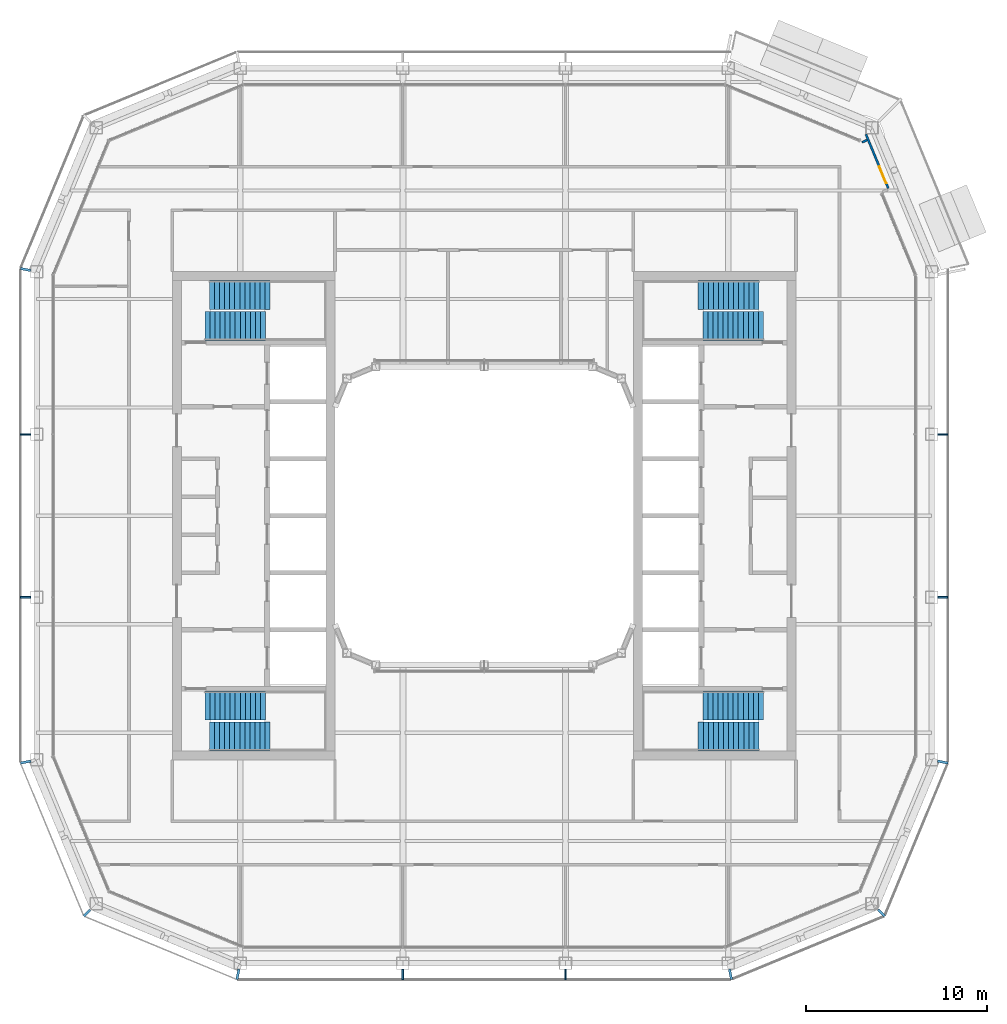
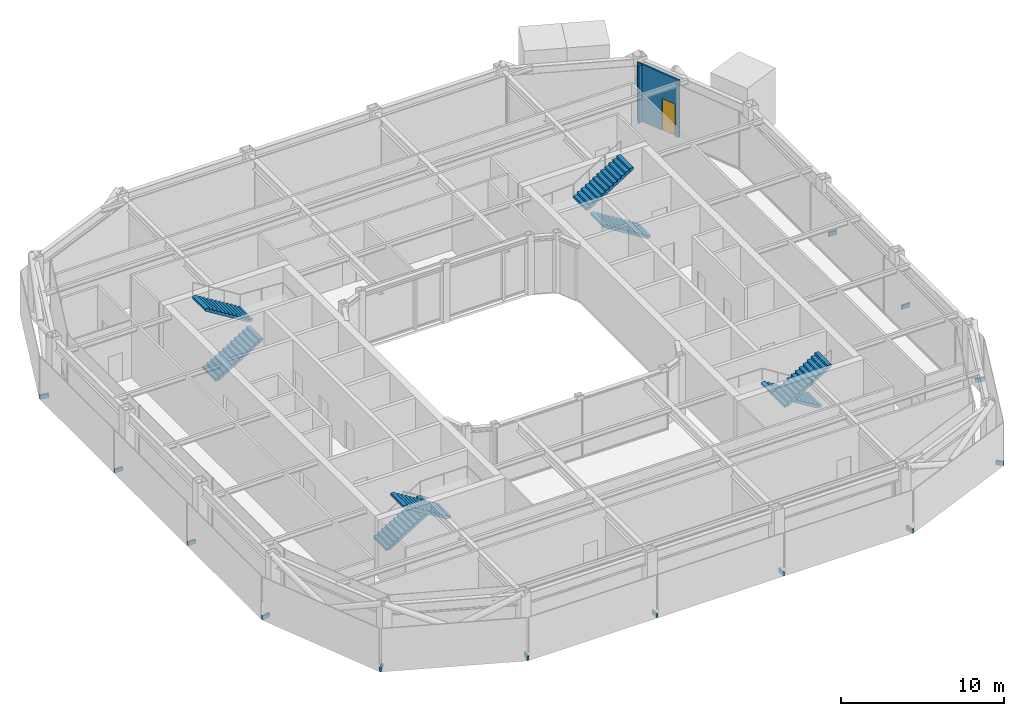
# One storey, part 14 of 21: 13 discrete accessories, 8 stair flights, 2 walls, 1 door, 1 opening, 4 elements without a shape of their own.
"""IFC4 building model written with IfcOpenShell, lengths in metres."""

from ifc_helpers import new_model, si_unit, direction, frame, frame_2d, origin, origin_2d, place, context, subcontext, project, spatial, polyline, rectangle, outline, extrude, material, layer, layer_set, type_object, element, fill, aggregate, save


model = new_model("IFC4")

# Units and contexts
model_context = context("Model", 3, precision=1e-05, world=origin(), true_north=direction((0.0, 1.0)))
body_context = subcontext(model_context, "Body", "Model", "MODEL_VIEW")
ifc_project = project(units=[si_unit("LENGTHUNIT", "METRE"), si_unit("AREAUNIT", "SQUARE_METRE"), si_unit("VOLUMEUNIT", "CUBIC_METRE"), si_unit("PLANEANGLEUNIT", "RADIAN"), si_unit("MASSUNIT", "GRAM", prefix="KILO")], contexts=[model_context])

# Site, building, storey
site_placement = place(None, origin())
site = spatial("IfcSite", under=ifc_project, at=site_placement, CompositionType="ELEMENT")
building_placement = place(site_placement, origin())
building = spatial("IfcBuilding", under=site, at=building_placement, Name="Siwar Civic Tower", CompositionType="ELEMENT")
storey_placement = place(building_placement, frame((0.0, 0.0, 343.699951171875)))
storey = spatial("IfcBuildingStorey", under=building, at=storey_placement, Name="L74", CompositionType="ELEMENT", Elevation=343.699951171875)

# Wall
ifc_material_1 = material(Name="Aluminium clad insulated panel", Category="aluminium")
ifc_layer = layer(ifc_material_1, 0.1201171875)
ifc_layer_set = layer_set([ifc_layer], Name="Aluminium clad insulated panel")
wall_type = type_object("IfcWallType", Name="ENV-WALL-BAL", PredefinedType="STANDARD", material=ifc_layer_set)
wall_1_placement = place(storey_placement, frame((20.896484375, 20.66015625, 0.0), z_axis=(0.0, 0.0, 1.0), x_axis=(0.923959293734, 0.382490814953, 0.0)))
element("IfcWall", 1, at=wall_1_placement, inside=storey, type_object=wall_type, Name="Balcony door wall return NE1", PredefinedType="STANDARD", context=body_context, shape_type="SweptSolid", body=[
    extrude(rectangle(XDim=0.310302734375, YDim=0.1201171875, at=frame_2d((0.1552734375, 0.0))), origin(), (0.0, 0.0, 1.0), 4.300048828125),
])

# Wall, opening, door
wall_2_placement = place(storey_placement, frame((22.3515625, 18.114501953125, 0.0), z_axis=(0.0, 0.0, 1.0), x_axis=(-0.382702621907, 0.923871583709, 0.0)))
wall_2 = element("IfcWall", 2, at=wall_2_placement, inside=storey, type_object=wall_type, Name="Balcony door wall NE1", PredefinedType="STANDARD", context=body_context, shape_type="SweptSolid", body=[
    extrude(rectangle(XDim=3.23681640625, YDim=0.1201171875, at=frame_2d((1.618408203125, 0.0))), origin(), (0.0, 0.0, 1.0), 4.300048828125),
])
opening_placement = place(wall_2_placement, frame((0.300048828125, 0.0, 0.0)))
opening = element("IfcOpeningElement", 3, at=opening_placement, cuts=wall_2, Name="Opening D-BAL", PredefinedType="OPENING", context=body_context, shape_type="SweptSolid", body=[
    extrude(rectangle(XDim=1.0, YDim=2.39990234375, at=frame_2d((0.5, 1.199951171875))), frame((0.0, 0.070068359375, 0.0), z_axis=(0.0, -1.0, 0.0), x_axis=(1.0, 0.0, 0.0)), (0.0, 0.0, 1.0), 0.14013671875),
])
ifc_material_2 = material(Name="Aluminium and glass", Category="aluminium")
door_type = type_object("IfcDoorType", Name="ENV-DOOR-BAL", OperationType="SINGLE_SWING_LEFT", PredefinedType="DOOR", material=ifc_material_2)
door_placement = place(opening_placement, origin())
door = element("IfcDoor", 4, at=door_placement, inside=storey, type_object=door_type, Name="Balcony door NE", OperationType="SINGLE_SWING_LEFT", OverallHeight=2.39990234375, OverallWidth=1.0, PredefinedType="DOOR", context=body_context, shape_type="SweptSolid", body=[
    extrude(rectangle(XDim=1.0, YDim=2.39990234375, at=frame_2d((0.5, 1.199951171875))), frame((0.0, 0.02490234375, 0.0), z_axis=(0.0, -1.0, 0.0), x_axis=(1.0, 0.0, 0.0)), (0.0, 0.0, 1.0), 0.050048828125),
])
fill(opening, door)

# Stair, stair flights
ifc_material_3 = material(Name="Concrete C40/50", Category="concrete")
stair_type = type_object("IfcStairType", Name="CORE-STAIR", PredefinedType="TWO_STRAIGHT_RUN_STAIR", material=ifc_material_3)
stair_1_placement = place(storey_placement, origin())
stair_1 = element("IfcStair", 5, at=stair_1_placement, inside=storey, type_object=stair_type, Name="Exit stair ST1", PredefinedType="TWO_STRAIGHT_RUN_STAIR")
ifc_material_4 = material(Name="Concrete C40/50", Category="concrete")
stair_flight_type = type_object("IfcStairFlightType", Name="CORE-STAIR-FLIGHT", PredefinedType="STRAIGHT", material=ifc_material_4)
stair_flight_1_placement = place(storey_placement, frame((-15.449951171875, 10.5, 0.0), z_axis=(0.0, 0.0, 1.0), x_axis=(1.0, 0.0, 0.0)))
stair_flight_1 = element("IfcStairFlight", 6, at=stair_flight_1_placement, type_object=stair_flight_type, Name="ST1 flight 1", NumberOfRisers=13, NumberOfTreads=12, PredefinedType="STRAIGHT", RiserHeight=0.173076923, TreadLength=0.28, context=body_context, shape_type="SweptSolid", body=[
    extrude(outline(polyline([(0.0, 0.0), (0.0, 0.173095703125), (0.280029296875, 0.173095703125), (0.280029296875, 0.34619140625), (0.56005859375, 0.34619140625), (0.56005859375, 0.519287109375), (0.840087890625, 0.519287109375), (0.840087890625, 0.6923828125), (1.1201171875, 0.6923828125), (1.1201171875, 0.865478515625), (1.39990234375, 0.865478515625), (1.39990234375, 1.03857421875), (1.679931640625, 1.03857421875), (1.679931640625, 1.21142578125), (1.9599609375, 1.21142578125), (1.9599609375, 1.384521484375), (2.239990234375, 1.384521484375), (2.239990234375, 1.5576171875), (2.52001953125, 1.5576171875), (2.52001953125, 1.730712890625), (2.800048828125, 1.730712890625), (2.800048828125, 1.90380859375), (3.080078125, 1.90380859375), (3.080078125, 2.076904296875), (3.360107421875, 2.076904296875), (3.360107421875, 2.25), (3.360107421875, 1.900634765625), (0.28515625, 0.0), (0.0, 0.0)])), frame((0.0, 0.800048828125, 0.0), z_axis=(0.0, -1.0, 0.0), x_axis=(1.0, 0.0, 0.0)), (0.0, 0.0, 1.0), 1.60009765625),
])
stair_flight_2_placement = place(storey_placement, frame((-11.840087890625, 12.199951171875, 2.25), z_axis=(0.0, 0.0, 1.0), x_axis=(-1.0, 0.0, 0.0)))
stair_flight_2 = element("IfcStairFlight", 7, at=stair_flight_2_placement, type_object=stair_flight_type, Name="ST1 flight 2", NumberOfRisers=13, NumberOfTreads=12, PredefinedType="STRAIGHT", RiserHeight=0.173076923, TreadLength=0.28, context=body_context, shape_type="SweptSolid", body=[
    extrude(outline(polyline([(0.0, 0.0), (0.0, 0.173095703125), (0.280029296875, 0.173095703125), (0.280029296875, 0.34619140625), (0.56005859375, 0.34619140625), (0.56005859375, 0.519287109375), (0.840087890625, 0.519287109375), (0.840087890625, 0.6923828125), (1.1201171875, 0.6923828125), (1.1201171875, 0.865478515625), (1.39990234375, 0.865478515625), (1.39990234375, 1.03857421875), (1.679931640625, 1.03857421875), (1.679931640625, 1.21142578125), (1.9599609375, 1.21142578125), (1.9599609375, 1.384521484375), (2.239990234375, 1.384521484375), (2.239990234375, 1.5576171875), (2.52001953125, 1.5576171875), (2.52001953125, 1.730712890625), (2.800048828125, 1.730712890625), (2.800048828125, 1.90380859375), (3.080078125, 1.90380859375), (3.080078125, 2.076904296875), (3.360107421875, 2.076904296875), (3.360107421875, 2.25), (3.360107421875, 1.900634765625), (0.28515625, 0.0), (0.0, 0.0)])), frame((0.0, 0.800048828125, 0.0), z_axis=(0.0, -1.0, 0.0), x_axis=(1.0, 0.0, 0.0)), (0.0, 0.0, 1.0), 1.60009765625),
])
aggregate(stair_1, [stair_flight_1, stair_flight_2])

stair_2_placement = place(storey_placement, origin())
stair_2 = element("IfcStair", 8, at=stair_2_placement, inside=storey, type_object=stair_type, Name="Exit stair ST2", PredefinedType="TWO_STRAIGHT_RUN_STAIR")
stair_flight_3_placement = place(storey_placement, frame((-15.449951171875, -10.5, 0.0), z_axis=(0.0, 0.0, 1.0), x_axis=(1.0, 0.0, 0.0)))
stair_flight_3 = element("IfcStairFlight", 9, at=stair_flight_3_placement, type_object=stair_flight_type, Name="ST2 flight 1", NumberOfRisers=13, NumberOfTreads=12, PredefinedType="STRAIGHT", RiserHeight=0.173076923, TreadLength=0.28, context=body_context, shape_type="SweptSolid", body=[
    extrude(outline(polyline([(0.0, 0.0), (0.0, 0.173095703125), (0.280029296875, 0.173095703125), (0.280029296875, 0.34619140625), (0.56005859375, 0.34619140625), (0.56005859375, 0.519287109375), (0.840087890625, 0.519287109375), (0.840087890625, 0.6923828125), (1.1201171875, 0.6923828125), (1.1201171875, 0.865478515625), (1.39990234375, 0.865478515625), (1.39990234375, 1.03857421875), (1.679931640625, 1.03857421875), (1.679931640625, 1.21142578125), (1.9599609375, 1.21142578125), (1.9599609375, 1.384521484375), (2.239990234375, 1.384521484375), (2.239990234375, 1.5576171875), (2.52001953125, 1.5576171875), (2.52001953125, 1.730712890625), (2.800048828125, 1.730712890625), (2.800048828125, 1.90380859375), (3.080078125, 1.90380859375), (3.080078125, 2.076904296875), (3.360107421875, 2.076904296875), (3.360107421875, 2.25), (3.360107421875, 1.900634765625), (0.28515625, 0.0), (0.0, 0.0)])), frame((0.0, 0.800048828125, 0.0), z_axis=(0.0, -1.0, 0.0), x_axis=(1.0, 0.0, 0.0)), (0.0, 0.0, 1.0), 1.60009765625),
])
stair_flight_4_placement = place(storey_placement, frame((-11.840087890625, -12.199951171875, 2.25), z_axis=(0.0, 0.0, 1.0), x_axis=(-1.0, 0.0, 0.0)))
stair_flight_4 = element("IfcStairFlight", 10, at=stair_flight_4_placement, type_object=stair_flight_type, Name="ST2 flight 2", NumberOfRisers=13, NumberOfTreads=12, PredefinedType="STRAIGHT", RiserHeight=0.173076923, TreadLength=0.28, context=body_context, shape_type="SweptSolid", body=[
    extrude(outline(polyline([(0.0, 0.0), (0.0, 0.173095703125), (0.280029296875, 0.173095703125), (0.280029296875, 0.34619140625), (0.56005859375, 0.34619140625), (0.56005859375, 0.519287109375), (0.840087890625, 0.519287109375), (0.840087890625, 0.6923828125), (1.1201171875, 0.6923828125), (1.1201171875, 0.865478515625), (1.39990234375, 0.865478515625), (1.39990234375, 1.03857421875), (1.679931640625, 1.03857421875), (1.679931640625, 1.21142578125), (1.9599609375, 1.21142578125), (1.9599609375, 1.384521484375), (2.239990234375, 1.384521484375), (2.239990234375, 1.5576171875), (2.52001953125, 1.5576171875), (2.52001953125, 1.730712890625), (2.800048828125, 1.730712890625), (2.800048828125, 1.90380859375), (3.080078125, 1.90380859375), (3.080078125, 2.076904296875), (3.360107421875, 2.076904296875), (3.360107421875, 2.25), (3.360107421875, 1.900634765625), (0.28515625, 0.0), (0.0, 0.0)])), frame((0.0, 0.800048828125, 0.0), z_axis=(0.0, -1.0, 0.0), x_axis=(1.0, 0.0, 0.0)), (0.0, 0.0, 1.0), 1.60009765625),
])
aggregate(stair_2, [stair_flight_3, stair_flight_4])

stair_3_placement = place(storey_placement, origin())
stair_3 = element("IfcStair", 11, at=stair_3_placement, inside=storey, type_object=stair_type, Name="Exit stair ST3", PredefinedType="TWO_STRAIGHT_RUN_STAIR")
stair_flight_5_placement = place(storey_placement, frame((15.449951171875, 10.5, 0.0), z_axis=(0.0, 0.0, 1.0), x_axis=(-1.0, 0.0, 0.0)))
stair_flight_5 = element("IfcStairFlight", 12, at=stair_flight_5_placement, type_object=stair_flight_type, Name="ST3 flight 1", NumberOfRisers=13, NumberOfTreads=12, PredefinedType="STRAIGHT", RiserHeight=0.173076923, TreadLength=0.28, context=body_context, shape_type="SweptSolid", body=[
    extrude(outline(polyline([(0.0, 0.0), (0.0, 0.173095703125), (0.280029296875, 0.173095703125), (0.280029296875, 0.34619140625), (0.56005859375, 0.34619140625), (0.56005859375, 0.519287109375), (0.840087890625, 0.519287109375), (0.840087890625, 0.6923828125), (1.1201171875, 0.6923828125), (1.1201171875, 0.865478515625), (1.39990234375, 0.865478515625), (1.39990234375, 1.03857421875), (1.679931640625, 1.03857421875), (1.679931640625, 1.21142578125), (1.9599609375, 1.21142578125), (1.9599609375, 1.384521484375), (2.239990234375, 1.384521484375), (2.239990234375, 1.5576171875), (2.52001953125, 1.5576171875), (2.52001953125, 1.730712890625), (2.800048828125, 1.730712890625), (2.800048828125, 1.90380859375), (3.080078125, 1.90380859375), (3.080078125, 2.076904296875), (3.360107421875, 2.076904296875), (3.360107421875, 2.25), (3.360107421875, 1.900634765625), (0.28515625, 0.0), (0.0, 0.0)])), frame((0.0, 0.800048828125, 0.0), z_axis=(0.0, -1.0, 0.0), x_axis=(1.0, 0.0, 0.0)), (0.0, 0.0, 1.0), 1.60009765625),
])
stair_flight_6_placement = place(storey_placement, frame((11.840087890625, 12.199951171875, 2.25), z_axis=(0.0, 0.0, 1.0), x_axis=(1.0, 0.0, 0.0)))
stair_flight_6 = element("IfcStairFlight", 13, at=stair_flight_6_placement, type_object=stair_flight_type, Name="ST3 flight 2", NumberOfRisers=13, NumberOfTreads=12, PredefinedType="STRAIGHT", RiserHeight=0.173076923, TreadLength=0.28, context=body_context, shape_type="SweptSolid", body=[
    extrude(outline(polyline([(0.0, 0.0), (0.0, 0.173095703125), (0.280029296875, 0.173095703125), (0.280029296875, 0.34619140625), (0.56005859375, 0.34619140625), (0.56005859375, 0.519287109375), (0.840087890625, 0.519287109375), (0.840087890625, 0.6923828125), (1.1201171875, 0.6923828125), (1.1201171875, 0.865478515625), (1.39990234375, 0.865478515625), (1.39990234375, 1.03857421875), (1.679931640625, 1.03857421875), (1.679931640625, 1.21142578125), (1.9599609375, 1.21142578125), (1.9599609375, 1.384521484375), (2.239990234375, 1.384521484375), (2.239990234375, 1.5576171875), (2.52001953125, 1.5576171875), (2.52001953125, 1.730712890625), (2.800048828125, 1.730712890625), (2.800048828125, 1.90380859375), (3.080078125, 1.90380859375), (3.080078125, 2.076904296875), (3.360107421875, 2.076904296875), (3.360107421875, 2.25), (3.360107421875, 1.900634765625), (0.28515625, 0.0), (0.0, 0.0)])), frame((0.0, 0.800048828125, 0.0), z_axis=(0.0, -1.0, 0.0), x_axis=(1.0, 0.0, 0.0)), (0.0, 0.0, 1.0), 1.60009765625),
])
aggregate(stair_3, [stair_flight_5, stair_flight_6])

stair_4_placement = place(storey_placement, origin())
stair_4 = element("IfcStair", 14, at=stair_4_placement, inside=storey, type_object=stair_type, Name="Exit stair ST4", PredefinedType="TWO_STRAIGHT_RUN_STAIR")
stair_flight_7_placement = place(storey_placement, frame((15.449951171875, -10.5, 0.0), z_axis=(0.0, 0.0, 1.0), x_axis=(-1.0, 0.0, 0.0)))
stair_flight_7 = element("IfcStairFlight", 15, at=stair_flight_7_placement, type_object=stair_flight_type, Name="ST4 flight 1", NumberOfRisers=13, NumberOfTreads=12, PredefinedType="STRAIGHT", RiserHeight=0.173076923, TreadLength=0.28, context=body_context, shape_type="SweptSolid", body=[
    extrude(outline(polyline([(0.0, 0.0), (0.0, 0.173095703125), (0.280029296875, 0.173095703125), (0.280029296875, 0.34619140625), (0.56005859375, 0.34619140625), (0.56005859375, 0.519287109375), (0.840087890625, 0.519287109375), (0.840087890625, 0.6923828125), (1.1201171875, 0.6923828125), (1.1201171875, 0.865478515625), (1.39990234375, 0.865478515625), (1.39990234375, 1.03857421875), (1.679931640625, 1.03857421875), (1.679931640625, 1.21142578125), (1.9599609375, 1.21142578125), (1.9599609375, 1.384521484375), (2.239990234375, 1.384521484375), (2.239990234375, 1.5576171875), (2.52001953125, 1.5576171875), (2.52001953125, 1.730712890625), (2.800048828125, 1.730712890625), (2.800048828125, 1.90380859375), (3.080078125, 1.90380859375), (3.080078125, 2.076904296875), (3.360107421875, 2.076904296875), (3.360107421875, 2.25), (3.360107421875, 1.900634765625), (0.28515625, 0.0), (0.0, 0.0)])), frame((0.0, 0.800048828125, 0.0), z_axis=(0.0, -1.0, 0.0), x_axis=(1.0, 0.0, 0.0)), (0.0, 0.0, 1.0), 1.60009765625),
])
stair_flight_8_placement = place(storey_placement, frame((11.840087890625, -12.199951171875, 2.25), z_axis=(0.0, 0.0, 1.0), x_axis=(1.0, 0.0, 0.0)))
stair_flight_8 = element("IfcStairFlight", 16, at=stair_flight_8_placement, type_object=stair_flight_type, Name="ST4 flight 2", NumberOfRisers=13, NumberOfTreads=12, PredefinedType="STRAIGHT", RiserHeight=0.173076923, TreadLength=0.28, context=body_context, shape_type="SweptSolid", body=[
    extrude(outline(polyline([(0.0, 0.0), (0.0, 0.173095703125), (0.280029296875, 0.173095703125), (0.280029296875, 0.34619140625), (0.56005859375, 0.34619140625), (0.56005859375, 0.519287109375), (0.840087890625, 0.519287109375), (0.840087890625, 0.6923828125), (1.1201171875, 0.6923828125), (1.1201171875, 0.865478515625), (1.39990234375, 0.865478515625), (1.39990234375, 1.03857421875), (1.679931640625, 1.03857421875), (1.679931640625, 1.21142578125), (1.9599609375, 1.21142578125), (1.9599609375, 1.384521484375), (2.239990234375, 1.384521484375), (2.239990234375, 1.5576171875), (2.52001953125, 1.5576171875), (2.52001953125, 1.730712890625), (2.800048828125, 1.730712890625), (2.800048828125, 1.90380859375), (3.080078125, 1.90380859375), (3.080078125, 2.076904296875), (3.360107421875, 2.076904296875), (3.360107421875, 2.25), (3.360107421875, 1.900634765625), (0.28515625, 0.0), (0.0, 0.0)])), frame((0.0, 0.800048828125, 0.0), z_axis=(0.0, -1.0, 0.0), x_axis=(1.0, 0.0, 0.0)), (0.0, 0.0, 1.0), 1.60009765625),
])
aggregate(stair_4, [stair_flight_7, stair_flight_8])

# Discrete accessories
ifc_material_5 = material(Name="Stainless steel 316", Category="steel")
discrete_accessory_type = type_object("IfcDiscreteAccessoryType", Name="ENV-BRACKET", PredefinedType="BRACKET", material=ifc_material_5)
for number, where, z_axis, x_axis, name in (
    (17, (25.364990234375, -4.5, -0.14990234375), (0.0, 0.0, 1.0), (1.0, 0.0, 0.0), "Bracket outer skin joint E-01"),
    (18, (25.364990234375, 4.5, -0.14990234375), (0.0, 0.0, 1.0), (1.0, 0.0, 0.0), "Bracket outer skin joint E-02"),
    (19, (-4.5, -25.364990234375, -0.14990234375), (0.0, 0.0, 1.0), (0.0, -1.0, 0.0), "Bracket outer skin joint S-01"),
    (20, (4.5, -25.364990234375, -0.14990234375), (0.0, 0.0, 1.0), (0.0, -1.0, 0.0), "Bracket outer skin joint S-02"),
):
    element("IfcDiscreteAccessory", number, at=place(storey_placement, frame(where, z_axis=z_axis, x_axis=x_axis)), inside=storey, type_object=discrete_accessory_type, Name=name, PredefinedType="BRACKET", context=body_context, shape_type="SweptSolid", body=[
        extrude(rectangle(XDim=0.570068359375, YDim=0.10009765625, at=origin_2d()), origin(), (0.0, 0.0, 1.0), 0.300048828125),
    ])
for number, where, z_axis, x_axis, name in (
    (21, (-13.622314453125, -25.365234375, -0.14990234375), (0.0, 0.0, 1.0), (-0.195090322016, -0.980785280403, 0.0), "Bracket outer skin joint V00"),
    (22, (13.622314453125, -25.365234375, -0.14990234375), (0.0, 0.0, 1.0), (0.195090322016, -0.980785280403, 0.0), "Bracket outer skin joint V01"),
):
    element("IfcDiscreteAccessory", number, at=place(storey_placement, frame(where, z_axis=z_axis, x_axis=x_axis)), inside=storey, type_object=discrete_accessory_type, Name=name, PredefinedType="BRACKET", context=body_context, shape_type="SweptSolid", body=[
        extrude(rectangle(XDim=0.580810546875, YDim=0.13720703125, at=origin_2d()), origin(), (0.0, 0.0, 1.0), 0.300048828125),
    ])
discrete_accessory_1_placement = place(storey_placement, frame((21.96728515625, -21.96728515625, -0.14990234375), z_axis=(0.0, 0.0, 1.0), x_axis=(0.707106781187, -0.707106781187, 0.0)))
element("IfcDiscreteAccessory", 23, at=discrete_accessory_1_placement, inside=storey, type_object=discrete_accessory_type, Name="Bracket outer skin joint V02", PredefinedType="BRACKET", context=body_context, shape_type="SweptSolid", body=[
    extrude(rectangle(XDim=0.499267578125, YDim=0.12939453125, at=origin_2d()), origin(), (0.0, 0.0, 1.0), 0.300048828125),
])
for number, where, z_axis, x_axis, name in (
    (24, (25.365234375, -13.622314453125, -0.14990234375), (0.0, 0.0, 1.0), (0.980785280403, -0.195090322016, 0.0), "Bracket outer skin joint V03"),
    (25, (-25.365234375, 13.622314453125, -0.14990234375), (0.0, 0.0, 1.0), (-0.980785280403, 0.195090322016, 0.0), "Bracket outer skin joint V09"),
    (26, (-25.365234375, -13.622314453125, -0.14990234375), (0.0, 0.0, 1.0), (-0.980785280403, -0.195090322016, 0.0), "Bracket outer skin joint V10"),
):
    element("IfcDiscreteAccessory", number, at=place(storey_placement, frame(where, z_axis=z_axis, x_axis=x_axis)), inside=storey, type_object=discrete_accessory_type, Name=name, PredefinedType="BRACKET", context=body_context, shape_type="SweptSolid", body=[
        extrude(rectangle(XDim=0.580810546875, YDim=0.13720703125, at=origin_2d()), origin(), (0.0, 0.0, 1.0), 0.300048828125),
    ])
discrete_accessory_2_placement = place(storey_placement, frame((-21.96728515625, -21.96728515625, -0.14990234375), z_axis=(0.0, 0.0, 1.0), x_axis=(-0.707106781187, -0.707106781187, 0.0)))
element("IfcDiscreteAccessory", 27, at=discrete_accessory_2_placement, inside=storey, type_object=discrete_accessory_type, Name="Bracket outer skin joint V11", PredefinedType="BRACKET", context=body_context, shape_type="SweptSolid", body=[
    extrude(rectangle(XDim=0.499267578125, YDim=0.12939453125, at=origin_2d()), origin(), (0.0, 0.0, 1.0), 0.300048828125),
])
for number, where, z_axis, x_axis, name in (
    (28, (-25.364990234375, 4.5, -0.14990234375), (0.0, 0.0, 1.0), (-1.0, 0.0, 0.0), "Bracket outer skin joint W-01"),
    (29, (-25.364990234375, -4.5, -0.14990234375), (0.0, 0.0, 1.0), (-1.0, 0.0, 0.0), "Bracket outer skin joint W-02"),
):
    element("IfcDiscreteAccessory", number, at=place(storey_placement, frame(where, z_axis=z_axis, x_axis=x_axis)), inside=storey, type_object=discrete_accessory_type, Name=name, PredefinedType="BRACKET", context=body_context, shape_type="SweptSolid", body=[
        extrude(rectangle(XDim=0.570068359375, YDim=0.10009765625, at=origin_2d()), origin(), (0.0, 0.0, 1.0), 0.300048828125),
    ])

save(model, "model.ifc")
